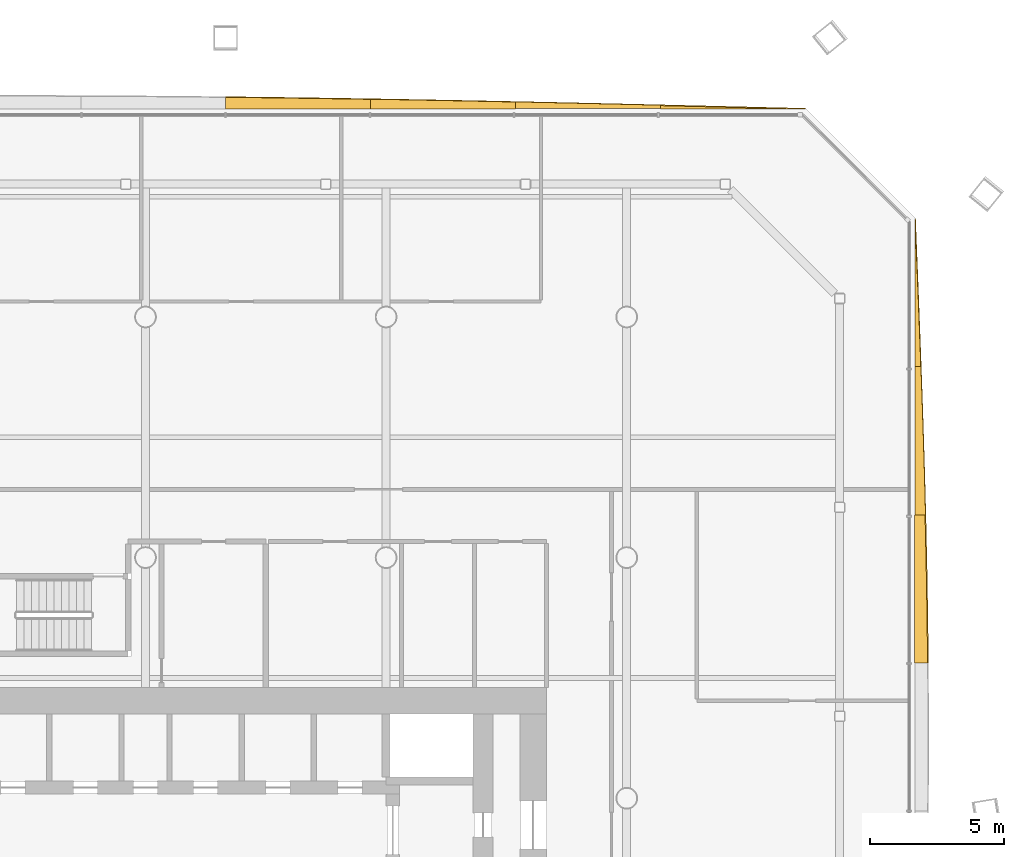
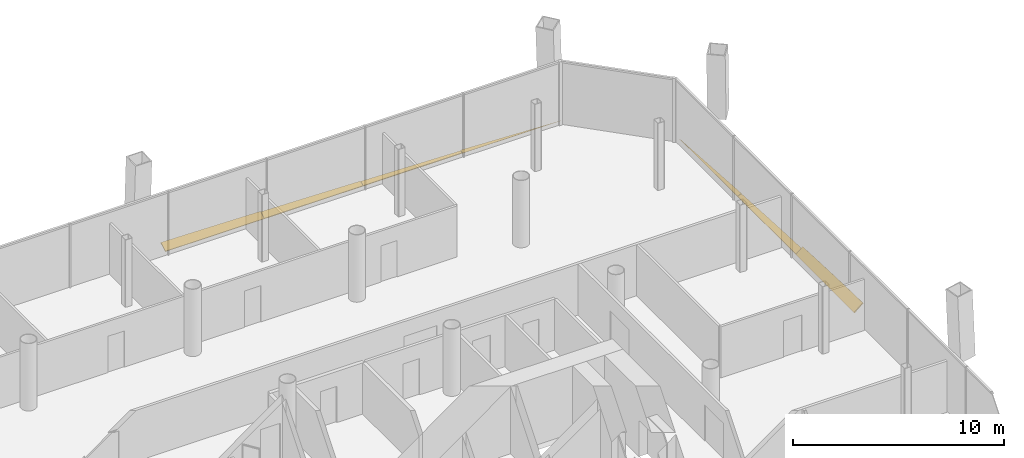
# One storey, part 20 of 20: 7 shading devices.
"""IFC4 building model written with IfcOpenShell, lengths in metres."""

from ifc_helpers import new_model, si_unit, direction, frame, origin, place, context, subcontext, project, spatial, polyline, outline, extrude, material, layer, layer_set, type_object, element, save


model = new_model("IFC4")

# Units and contexts
model_context = context("Model", 3, precision=1e-05, world=origin(), true_north=direction((0.0, 1.0)))
body_context = subcontext(model_context, "Body", "Model", "MODEL_VIEW")
ifc_project = project(units=[si_unit("LENGTHUNIT", "METRE"), si_unit("AREAUNIT", "SQUARE_METRE"), si_unit("VOLUMEUNIT", "CUBIC_METRE"), si_unit("PLANEANGLEUNIT", "RADIAN"), si_unit("MASSUNIT", "GRAM", prefix="KILO")], contexts=[model_context])

# Site, building, storey
site_placement = place(None, origin())
site = spatial("IfcSite", under=ifc_project, at=site_placement, CompositionType="ELEMENT")
building_placement = place(site_placement, origin())
building = spatial("IfcBuilding", under=site, at=building_placement, Name="Tskaro Facet Tower", CompositionType="ELEMENT")
storey_placement = place(building_placement, frame((0.0, 0.0, 66.0)))
storey = spatial("IfcBuildingStorey", under=building, at=storey_placement, Name="L15", CompositionType="ELEMENT", Elevation=66.0)

# Shading devices
ifc_material = material(Name="Bronze anodised aluminium 6063-T6", Category="aluminium")
ifc_layer = layer(ifc_material, 0.06005859375, Name="Bronze anodised aluminium 6063-T6")
ifc_layer_set = layer_set([ifc_layer], Name="Bronze anodised aluminium 6063-T6")
shading_device_type = type_object("IfcShadingDeviceType", Name="Bronze sun blade (FN1)", PredefinedType="USERDEFINED", material=ifc_layer_set)
shading_device_1_placement = place(storey_placement, frame((28.7705078125, 5.060546875, 0.0458984375), z_axis=(-0.642909602552, -5.368787e-06, 0.765942062376), x_axis=(-3.451645e-06, 0.999999999986, 4.11218e-06)))
element("IfcShadingDevice", 1, at=shading_device_1_placement, inside=storey, type_object=shading_device_type, Name="Fin blade east 6", ObjectType="FIN", PredefinedType="USERDEFINED", context=body_context, shape_type="SweptSolid", body=[
    extrude(outline(polyline([(0.0, 0.0), (5.539306640545168, 0.0), (5.539306640660602, -0.504273509496701), (4.8469238280930425, -0.5259360845915122), (4.154541015561853, -0.5456918724824338), (3.461914062603301, -0.5638848310954787), (2.769531249463427, -0.5803580000784592), (2.07714843720261, -0.5947373842837249), (1.3847656251394251, -0.607553939211114), (0.6923828129513467, -0.6181197490086006), (-2.0431235522569947e-10, -0.6266218112500097), (0.0, 0.0)])), origin(), (0.0, 0.0, -1.0), 0.06005859375),
])
shading_device_2_placement = place(storey_placement, frame((28.78857421875, 10.599853515625, 0.056396484375), z_axis=(-0.34205196783, 2.862229e-06, 0.939681036999), x_axis=(9.79031e-07, 0.999999999996, -2.689583e-06)))
element("IfcShadingDevice", 2, at=shading_device_2_placement, inside=storey, type_object=shading_device_type, Name="Fin blade east 7", ObjectType="FIN", PredefinedType="USERDEFINED", context=body_context, shape_type="SweptSolid", body=[
    extrude(outline(polyline([(0.0, 0.0), (5.5390624999773115, 0.0), (5.539062499953377, -0.22837799346472498), (4.846679687301816, -0.25463866425257775), (4.154296875246465, -0.2800440745309894), (3.461914062235027, -0.3045318275467029), (2.7695312498197997, -0.32816432005297524), (2.0771484375227383, -0.3504827234184573), (1.3847656251652494, -0.37202937505570705), (0.6923828126869055, -0.392032523236492), (-9.088710799366767e-11, -0.41103450537337005), (0.0, 0.0)])), origin(), (0.0, 0.0, -1.0), 0.06005859375),
])
shading_device_3_placement = place(storey_placement, frame((28.78369140625, 16.138916015625, 0.054443359375), z_axis=(-0.422476379096, 1.1387027e-05, 0.906373934409), x_axis=(4.81075e-06, 0.999999999935, -1.0320904e-05)))
element("IfcShadingDevice", 3, at=shading_device_3_placement, inside=storey, type_object=shading_device_type, Name="Fin blade east 8", ObjectType="FIN", PredefinedType="USERDEFINED", context=body_context, shape_type="SweptSolid", body=[
    extrude(outline(polyline([(0.0, 0.0), (5.539062499640891, 0.0), (4.846679687531862, -0.030692840972382403), (4.154296874248335, -0.0611643992459201), (3.461914063484559, -0.0915328138722109), (2.7695312503717844, -0.12145866310081228), (2.07714843608451, -0.15116322963056894), (1.3847656256622403, -0.18044022616698713), (0.6923828117164723, -0.20905337460687112), (-7.132901514786947e-10, -0.23679638765572728), (0.0, 0.0)])), origin(), (0.0, 0.0, -1.0), 0.06005859375),
])
shading_device_4_placement = place(storey_placement, frame((24.677978515625, 25.7705078125, 0.0458984375), z_axis=(-4.278091e-06, -0.643458168227, 0.765481277187), x_axis=(-0.999999999991, 2.752773e-06, -3.274799e-06)))
element("IfcShadingDevice", 4, at=shading_device_4_placement, inside=storey, type_object=shading_device_type, Name="Fin blade north 1", ObjectType="FIN", PredefinedType="USERDEFINED", context=body_context, shape_type="SweptSolid", body=[
    extrude(outline(polyline([(0.0, 0.0), (5.419433593700407, 0.0), (5.419433593798875, -0.17380154714876178), (4.7419433591744475, -0.15248296731647862), (4.064697265974531, -0.13100729320484178), (3.387207031477552, -0.10934473401576496), (2.7097167969805738, -0.08768217482668815), (2.032226561811531, -0.06583273056017136), (1.354736328114064, -0.04401307709174089), (0.6774902343695309, -0.022006538545870445), (0.0, 0.0)])), origin(), (0.0, 0.0, -1.0), 0.06005859375),
])
shading_device_5_placement = place(storey_placement, frame((19.258544921875, 25.78857421875, 0.056396484375), z_axis=(9.081451e-06, -0.342084153236, 0.939669320571), x_axis=(-0.999999999959, -3.106621e-06, 8.533561e-06)))
element("IfcShadingDevice", 5, at=shading_device_5_placement, inside=storey, type_object=shading_device_type, Name="Fin blade north 2", ObjectType="FIN", PredefinedType="USERDEFINED", context=body_context, shape_type="SweptSolid", body=[
    extrude(outline(polyline([(0.0, 0.0), (5.419433593526523, -2.2952194046815135e-21), (5.419433593764653, -0.27255597262235126), (4.74218749971516, -0.25695391925123645), (4.064697265040677, -0.24135186588012159), (3.3872070318831002, -0.22529098959855284), (2.7097167974005854, -0.20891718522277997), (2.0324707035430607, -0.19254338084700712), (1.3549804684940614, -0.17562723692180315), (0.6774902334450625, -0.15871109299659922), (-8.454841096273855e-10, -0.14156553761616833), (0.0, 0.0)])), origin(), (0.0, 0.0, -1.0), 0.06005859375),
])
shading_device_6_placement = place(storey_placement, frame((13.839111328125, 25.78369140625, 0.054443359375), z_axis=(1.011185e-05, -0.422492252885, 0.906366535211), x_axis=(-0.999999999949, -4.272178e-06, 9.165042e-06)))
element("IfcShadingDevice", 6, at=shading_device_6_placement, inside=storey, type_object=shading_device_type, Name="Fin blade north 3", ObjectType="FIN", PredefinedType="USERDEFINED", context=body_context, shape_type="SweptSolid", body=[
    extrude(outline(polyline([(0.0, 0.0), (5.41967773409792, 0.0), (5.419677735095535, -0.39735481189060523), (4.742187499355899, -0.3843609360338691), (4.0646972646592765, -0.3711457792847362), (3.387207029811118, -0.3573849132281276), (2.709960937673973, -0.34318148538672544), (2.032470703717292, -0.3286536291302443), (1.3549804696090775, -0.3135800635662874), (0.6774902343063156, -0.29818206958725146), (4.6565959832150133e-11, -0.2825627947158188), (0.0, 0.0)])), origin(), (0.0, 0.0, -1.0), 0.06005859375),
])
shading_device_7_placement = place(storey_placement, frame((8.41943359375, 25.779052734375, 0.052001953125), z_axis=(2.2323426e-05, -0.499983886412, 0.866034706481), x_axis=(-0.999999999751, -1.1161354e-05, 1.9332862e-05)))
element("IfcShadingDevice", 7, at=shading_device_7_placement, inside=storey, type_object=shading_device_type, Name="Fin blade north 4", ObjectType="FIN", PredefinedType="USERDEFINED", context=body_context, shape_type="SweptSolid", body=[
    extrude(outline(polyline([(0.0, 0.0), (5.419433592399653, 0.0), (5.419433595172259, -0.5046839510904473), (4.741943358485337, -0.49559879375194643), (4.064453125253299, -0.4857572672712025), (3.387207030651203, -0.47558224015734496), (2.7097167941591134, -0.46452877752269545), (2.032226560391963, -0.45326388063348116), (1.3547363300796957, -0.44124261460202374), (0.6774902336774328, -0.42876578155890377), (-2.6198265471175433e-09, -0.4157440136281054), (0.0, 0.0)])), origin(), (0.0, 0.0, -1.0), 0.06005859375),
])

save(model, "model.ifc")
